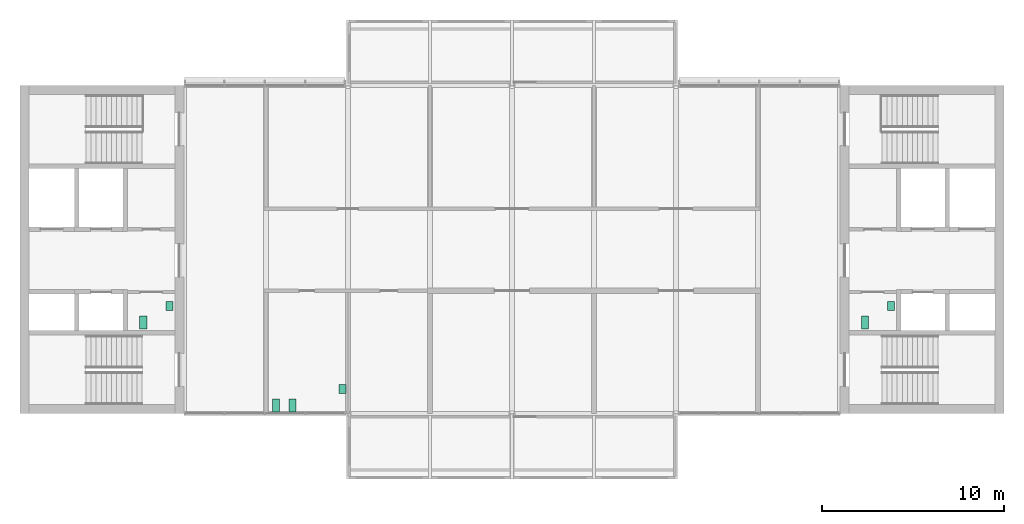
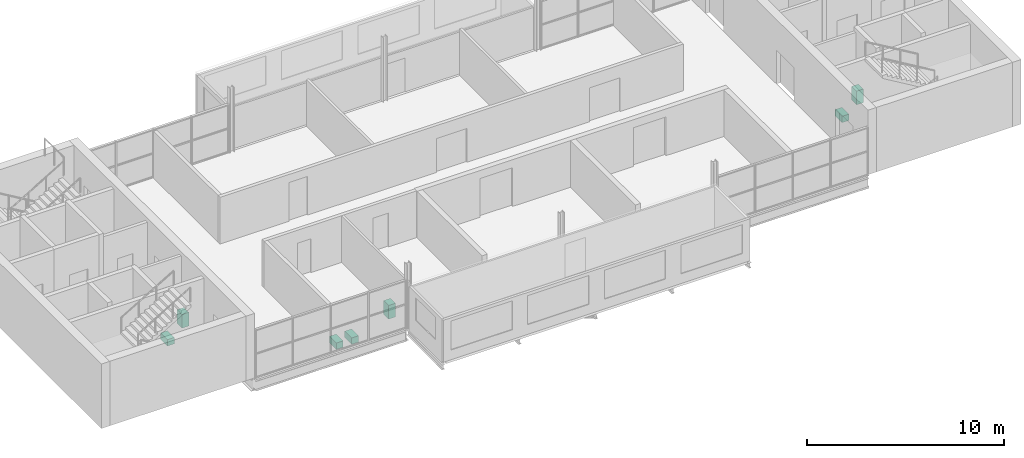
# One storey, part 10 of 10: 7 sanitary terminals.
"""IFC4 building model written with IfcOpenShell, lengths in metres."""

from ifc_helpers import new_model, si_unit, direction, frame, origin, origin_2d, place, context, subcontext, project, spatial, rectangle, extrude, element, save


model = new_model("IFC4")

# Units and contexts
model_context = context("Model", 3, precision=1e-05, world=origin(), true_north=direction((0.0, 1.0)))
body_context = subcontext(model_context, "Body", "Model", "MODEL_VIEW")
ifc_project = project(units=[si_unit("LENGTHUNIT", "METRE"), si_unit("AREAUNIT", "SQUARE_METRE"), si_unit("VOLUMEUNIT", "CUBIC_METRE"), si_unit("PLANEANGLEUNIT", "RADIAN"), si_unit("MASSUNIT", "GRAM", prefix="KILO")], contexts=[model_context])

# Site, building, storey
site_placement = place(None, origin())
site = spatial("IfcSite", under=ifc_project, at=site_placement, CompositionType="ELEMENT")
building_placement = place(site_placement, origin())
building = spatial("IfcBuilding", under=site, at=building_placement, Name="Corbel Yard City Hall", CompositionType="ELEMENT")
storey_placement = place(building_placement, frame((0.0, 0.0, 67.199951171875)))
storey = spatial("IfcBuildingStorey", under=building, at=storey_placement, Name="L16", CompositionType="ELEMENT", Elevation=67.199951171875)

# Sanitary terminals
sanitary_terminal_1_placement = place(storey_placement, frame((46.36669921875, 104.0, 0.0), z_axis=(0.0, 0.0, 1.0), x_axis=(1.0, 0.0, 0.0)))
element("IfcSanitaryTerminal", 1, at=sanitary_terminal_1_placement, inside=storey, Name="Water closet", PredefinedType="TOILETPAN", context=body_context, shape_type="SweptSolid", body=[
    extrude(rectangle(XDim=0.39990234375, YDim=0.699951171875, at=origin_2d()), origin(), (0.0, 0.0, 1.0), 0.39990234375),
])
sanitary_terminal_2_placement = place(storey_placement, frame((47.800048828125, 104.89990234375, 0.0), z_axis=(0.0, 0.0, 1.0), x_axis=(1.0, 0.0, 0.0)))
element("IfcSanitaryTerminal", 2, at=sanitary_terminal_2_placement, inside=storey, Name="Wash basin", PredefinedType="WASHHANDBASIN", context=body_context, shape_type="SweptSolid", body=[
    extrude(rectangle(XDim=0.39990234375, YDim=0.5, at=origin_2d()), origin(), (0.0, 0.0, 1.0), 0.85009765625),
])
sanitary_terminal_3_placement = place(storey_placement, frame((6.7666015625, 104.0, 0.0), z_axis=(0.0, 0.0, 1.0), x_axis=(1.0, 0.0, 0.0)))
element("IfcSanitaryTerminal", 3, at=sanitary_terminal_3_placement, inside=storey, Name="Water closet", PredefinedType="TOILETPAN", context=body_context, shape_type="SweptSolid", body=[
    extrude(rectangle(XDim=0.39990234375, YDim=0.699951171875, at=origin_2d()), origin(), (0.0, 0.0, 1.0), 0.39990234375),
])
sanitary_terminal_4_placement = place(storey_placement, frame((8.199951171875, 104.89990234375, 0.0), z_axis=(0.0, 0.0, 1.0), x_axis=(1.0, 0.0, 0.0)))
element("IfcSanitaryTerminal", 4, at=sanitary_terminal_4_placement, inside=storey, Name="Wash basin", PredefinedType="WASHHANDBASIN", context=body_context, shape_type="SweptSolid", body=[
    extrude(rectangle(XDim=0.39990234375, YDim=0.5, at=origin_2d()), origin(), (0.0, 0.0, 1.0), 0.85009765625),
])
for number, where, z_axis, x_axis, name in (
    (5, (14.050048828125, 99.449951171875, 0.0), (0.0, 0.0, 1.0), (1.0, 0.0, 0.0), "Water closet"),
    (6, (14.949951171875, 99.449951171875, 0.0), (0.0, 0.0, 1.0), (1.0, 0.0, 0.0), "Water closet"),
):
    element("IfcSanitaryTerminal", number, at=place(storey_placement, frame(where, z_axis=z_axis, x_axis=x_axis)), inside=storey, Name=name, PredefinedType="TOILETPAN", context=body_context, shape_type="SweptSolid", body=[
        extrude(rectangle(XDim=0.39990234375, YDim=0.699951171875, at=origin_2d()), origin(), (0.0, 0.0, 1.0), 0.39990234375),
    ])
sanitary_terminal_5_placement = place(storey_placement, frame((17.699951171875, 100.35009765625, 0.0), z_axis=(0.0, 0.0, 1.0), x_axis=(1.0, 0.0, 0.0)))
element("IfcSanitaryTerminal", 7, at=sanitary_terminal_5_placement, inside=storey, Name="Wash basin", PredefinedType="WASHHANDBASIN", context=body_context, shape_type="SweptSolid", body=[
    extrude(rectangle(XDim=0.39990234375, YDim=0.5, at=origin_2d()), origin(), (0.0, 0.0, 1.0), 0.85009765625),
])

save(model, "model.ifc")
